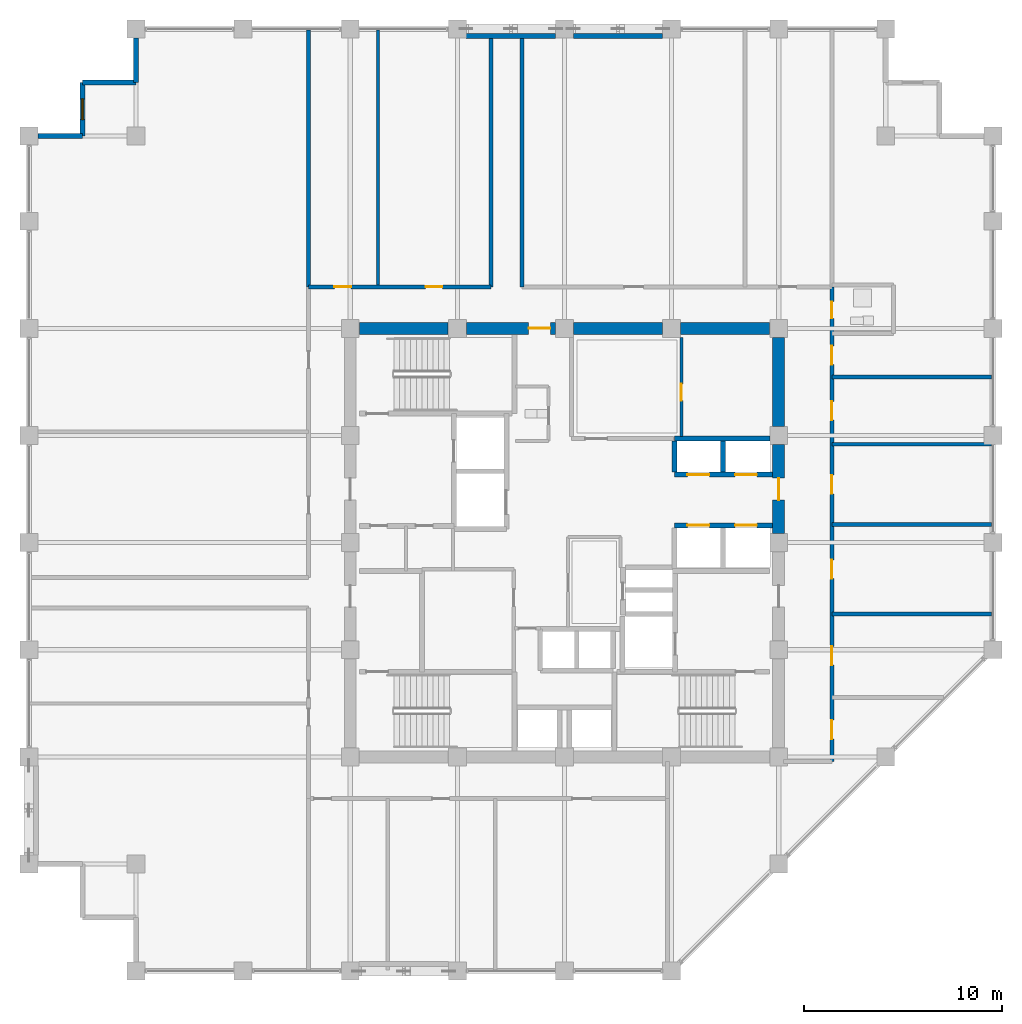
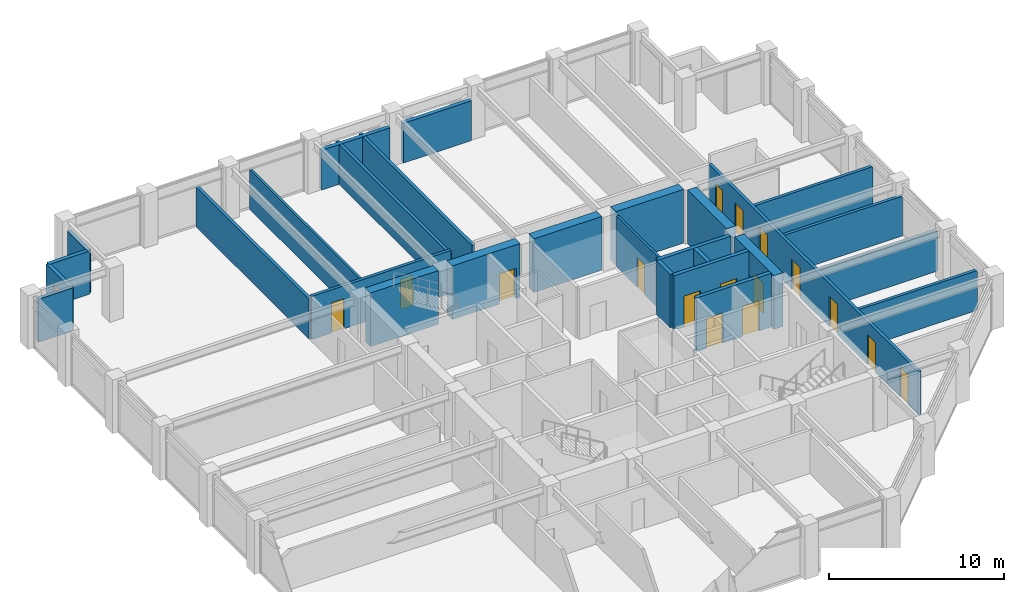
# One storey, part 29 of 32: 28 walls, 16 doors, 1 window, 17 openings.
"""IFC4 building model written with IfcOpenShell, lengths in metres."""

from ifc_helpers import new_model, si_unit, direction, frame, frame_2d, origin, place, context, subcontext, project, spatial, rectangle, extrude, material, layer, layer_set, type_object, element, fill, save


model = new_model("IFC4")

# Units and contexts
model_context = context("Model", 3, precision=1e-05, world=origin(), true_north=direction((0.0, 1.0)))
body_context = subcontext(model_context, "Body", "Model", "MODEL_VIEW")
ifc_project = project(units=[si_unit("LENGTHUNIT", "METRE"), si_unit("AREAUNIT", "SQUARE_METRE"), si_unit("VOLUMEUNIT", "CUBIC_METRE"), si_unit("PLANEANGLEUNIT", "RADIAN"), si_unit("MASSUNIT", "GRAM", prefix="KILO")], contexts=[model_context])

# Site, building, storey
site_placement = place(None, origin())
site = spatial("IfcSite", under=ifc_project, at=site_placement, CompositionType="ELEMENT")
building_placement = place(site_placement, origin())
building = spatial("IfcBuilding", under=site, at=building_placement, Name="Surkhivell Harbour Commons", CompositionType="ELEMENT")
storey_placement = place(building_placement, frame((0.0, 0.0, 212.25)))
storey = spatial("IfcBuildingStorey", under=building, at=storey_placement, Name="L55", CompositionType="ELEMENT", Elevation=212.25)

# Wall
ifc_material_1 = material(Name="Concrete C60/75", Category="concrete")
ifc_layer_1 = layer(ifc_material_1, 0.60009765625)
ifc_layer_set_1 = layer_set([ifc_layer_1], Name="Concrete C60/75")
wall_type_1 = type_object("IfcWallType", Name="WAL-CORE-600", PredefinedType="SHEAR", material=ifc_layer_set_1)
wall_1_placement = place(storey_placement, frame((-10.340087890625, 10.800048828125, 0.0), z_axis=(0.0, 0.0, 1.0), x_axis=(1.0, 0.0, 0.0)))
element("IfcWall", 1, at=wall_1_placement, inside=storey, type_object=wall_type_1, Name="L55 Core Shear Wall North 1", PredefinedType="SHEAR", context=body_context, shape_type="SweptSolid", body=[
    extrude(rectangle(XDim=4.47998046875, YDim=0.60009765625, at=frame_2d((2.239990234375, 0.0))), origin(), (0.0, 0.0, 1.0), 3.75),
])

# Wall, opening, door
wall_2_placement = place(storey_placement, frame((-4.93994140625, 10.800048828125, 0.0), z_axis=(0.0, 0.0, 1.0), x_axis=(1.0, 0.0, 0.0)))
wall_2 = element("IfcWall", 2, at=wall_2_placement, inside=storey, type_object=wall_type_1, Name="L55 Core Shear Wall North 2", PredefinedType="SHEAR", context=body_context, shape_type="SweptSolid", body=[
    extrude(rectangle(XDim=4.47998046875, YDim=0.60009765625, at=frame_2d((2.239990234375, 0.0))), origin(), (0.0, 0.0, 1.0), 3.75),
])
opening_1_placement = place(wall_2_placement, frame((3.1298828125, 0.0, 0.0)))
opening_1 = element("IfcOpeningElement", 3, at=opening_1_placement, cuts=wall_2, Name="Opening ID-2", PredefinedType="OPENING", context=body_context, shape_type="SweptSolid", body=[
    extrude(rectangle(XDim=1.10009765625, YDim=2.10009765625, at=frame_2d((0.550048828125, 1.050048828125))), frame((0.0, 0.31005859375, 0.0), z_axis=(0.0, -1.0, 0.0), x_axis=(1.0, 0.0, 0.0)), (0.0, 0.0, 1.0), 0.6201171875),
])
ifc_material_2 = material(Name="Hardwood-veneered fire-rated door leaf", Category="wood")
door_type_1 = type_object("IfcDoorType", Name="DOR-FD60-1100", OperationType="NOTDEFINED", PredefinedType="DOOR", material=ifc_material_2)
door_1_placement = place(opening_1_placement, origin())
door_1 = element("IfcDoor", 4, at=door_1_placement, inside=storey, type_object=door_type_1, Name="L55 Central Core Lift Hall North Corridor Door", OperationType="SINGLE_SWING_LEFT", OverallHeight=2.10009765625, OverallWidth=1.10009765625, PredefinedType="DOOR", context=body_context, shape_type="SweptSolid", body=[
    extrude(rectangle(XDim=1.10009765625, YDim=2.10009765625, at=frame_2d((0.550048828125, 1.050048828125))), frame((0.0, 0.02490234375, 0.0), z_axis=(0.0, -1.0, 0.0), x_axis=(1.0, 0.0, 0.0)), (0.0, 0.0, 1.0), 0.050048828125),
])
fill(opening_1, door_1)

# Wall
wall_3_placement = place(storey_placement, frame((0.4599609375, 10.800048828125, 0.0), z_axis=(0.0, 0.0, 1.0), x_axis=(1.0, 0.0, 0.0)))
element("IfcWall", 5, at=wall_3_placement, inside=storey, type_object=wall_type_1, Name="L55 Core Shear Wall North 3", PredefinedType="SHEAR", context=body_context, shape_type="SweptSolid", body=[
    extrude(rectangle(XDim=4.47998046875, YDim=0.60009765625, at=frame_2d((2.239990234375, 0.0))), origin(), (0.0, 0.0, 1.0), 3.75),
])

# Wall, opening, door
wall_4_placement = place(storey_placement, frame((10.800048828125, 0.4599609375, 0.0), z_axis=(0.0, 0.0, 1.0), x_axis=(0.0, 1.0, 0.0)))
wall_4 = element("IfcWall", 6, at=wall_4_placement, inside=storey, type_object=wall_type_1, Name="L55 Core Shear Wall East 3", PredefinedType="SHEAR", context=body_context, shape_type="SweptSolid", body=[
    extrude(rectangle(XDim=4.47998046875, YDim=0.60009765625, at=frame_2d((2.239990234375, 0.0))), origin(), (0.0, 0.0, 1.0), 3.75),
])
opening_2_placement = place(wall_4_placement, frame((1.68994140625, 0.0, 0.0)))
opening_2 = element("IfcOpeningElement", 7, at=opening_2_placement, cuts=wall_4, Name="Opening ID-2", PredefinedType="OPENING", context=body_context, shape_type="SweptSolid", body=[
    extrude(rectangle(XDim=1.10009765625, YDim=2.10009765625, at=frame_2d((0.550048828125, 1.050048828125))), frame((0.0, 0.31005859375, 0.0), z_axis=(0.0, -1.0, 0.0), x_axis=(1.0, 0.0, 0.0)), (0.0, 0.0, 1.0), 0.6201171875),
])
door_2_placement = place(opening_2_placement, origin())
door_2 = element("IfcDoor", 8, at=door_2_placement, inside=storey, type_object=door_type_1, Name="L55 Mid-Rise Lobby East Door", OperationType="SINGLE_SWING_LEFT", OverallHeight=2.10009765625, OverallWidth=1.10009765625, PredefinedType="DOOR", context=body_context, shape_type="SweptSolid", body=[
    extrude(rectangle(XDim=1.10009765625, YDim=2.10009765625, at=frame_2d((0.550048828125, 1.050048828125))), frame((0.0, 0.02490234375, 0.0), z_axis=(0.0, -1.0, 0.0), x_axis=(1.0, 0.0, 0.0)), (0.0, 0.0, 1.0), 0.050048828125),
])
fill(opening_2, door_2)

# Walls
for number, where, z_axis, x_axis, name in (
    (9, (5.860107421875, 10.800048828125, 0.0), (0.0, 0.0, 1.0), (1.0, 0.0, 0.0), "L55 Core Shear Wall North 4"),
    (10, (10.800048828125, 5.860107421875, 0.0), (0.0, 0.0, 1.0), (0.0, 1.0, 0.0), "L55 Core Shear Wall East 4"),
):
    element("IfcWall", number, at=place(storey_placement, frame(where, z_axis=z_axis, x_axis=x_axis)), inside=storey, type_object=wall_type_1, Name=name, PredefinedType="SHEAR", context=body_context, shape_type="SweptSolid", body=[
        extrude(rectangle(XDim=4.47998046875, YDim=0.60009765625, at=frame_2d((2.239990234375, 0.0))), origin(), (0.0, 0.0, 1.0), 3.75),
    ])
ifc_material_3 = material(Name="Pale-metal insulated precast concrete C45/55", Category="concrete")
ifc_layer_2 = layer(ifc_material_3, 0.260009765625)
ifc_layer_set_2 = layer_set([ifc_layer_2], Name="Pale-metal insulated precast concrete C45/55")
wall_type_2 = type_object("IfcWallType", Name="WAL-EXT-MTL260", PredefinedType="STANDARD", material=ifc_layer_set_2)
for number, where, z_axis, x_axis, name in (
    (11, (-0.447998046875, 25.5400390625, 0.0), (0.0, 0.0, 1.0), (-1.0, 0.0, 0.0), "L55 Braced-Bay Insulated Spandrel Backing N"),
    (12, (4.951904296875, 25.5400390625, 0.0), (0.0, 0.0, 1.0), (-1.0, 0.0, 0.0), "L55 Braced-Bay Insulated Spandrel Backing N2"),
):
    element("IfcWall", number, at=place(storey_placement, frame(where, z_axis=z_axis, x_axis=x_axis)), inside=storey, type_object=wall_type_2, Name=name, PredefinedType="STANDARD", context=body_context, shape_type="SweptSolid", body=[
        extrude(rectangle(XDim=4.50390625, YDim=0.260009765625, at=frame_2d((2.251953125, 0.0))), origin(), (0.0, 0.0, 1.0), 2.780029296875),
    ])
wall_5_placement = place(storey_placement, frame((-21.60009765625, 25.451904296875, 0.0), z_axis=(0.0, 0.0, 1.0), x_axis=(0.0, -1.0, 0.0)))
element("IfcWall", 13, at=wall_5_placement, inside=storey, type_object=wall_type_2, Name="L55 Serrated Corner Facade Wall 08", PredefinedType="STANDARD", context=body_context, shape_type="SweptSolid", body=[
    extrude(rectangle(XDim=2.251953125, YDim=0.260009765625, at=frame_2d((1.1259765625, 0.0))), origin(), (0.0, 0.0, 1.0), 3.006103515625),
])
wall_6_placement = place(storey_placement, frame((-21.60009765625, 23.199951171875, 0.0), z_axis=(0.0, 0.0, 1.0), x_axis=(-1.0, 0.0, 0.0)))
element("IfcWall", 14, at=wall_6_placement, inside=storey, type_object=wall_type_2, Name="L55 Serrated Corner Facade Wall 09", PredefinedType="STANDARD", context=body_context, shape_type="SweptSolid", body=[
    extrude(rectangle(XDim=2.699951171875, YDim=0.260009765625, at=frame_2d((1.35009765625, 0.0))), origin(), (0.0, 0.0, 1.0), 3.006103515625),
])

# Wall, opening, window
wall_7_placement = place(storey_placement, frame((-24.300048828125, 23.199951171875, 0.0), z_axis=(0.0, 0.0, 1.0), x_axis=(0.0, -1.0, 0.0)))
wall_7 = element("IfcWall", 15, at=wall_7_placement, inside=storey, type_object=wall_type_2, Name="L55 Serrated Corner Facade Wall 10", PredefinedType="STANDARD", context=body_context, shape_type="SweptSolid", body=[
    extrude(rectangle(XDim=2.699951171875, YDim=0.260009765625, at=frame_2d((1.35009765625, 0.0))), origin(), (0.0, 0.0, 1.0), 3.006103515625),
])
opening_3_placement = place(wall_7_placement, frame((0.824951171875, 0.0, 0.64990234375)))
opening_3 = element("IfcOpeningElement", 16, at=opening_3_placement, cuts=wall_7, Name="Opening WN-11", PredefinedType="OPENING", context=body_context, shape_type="SweptSolid", body=[
    extrude(rectangle(XDim=1.050048828125, YDim=1.5, at=frame_2d((0.52490234375, 0.75))), frame((0.0, 0.139892578125, 0.0), z_axis=(0.0, -1.0, 0.0), x_axis=(1.0, 0.0, 0.0)), (0.0, 0.0, 1.0), 0.280029296875),
])
ifc_material_4 = material(Name="Thermal-break aluminium frame and double low-E glazing", Category="aluminium")
window_type = type_object("IfcWindowType", Name="WIN-SER-1050x1500", PartitioningType="SINGLE_PANEL", PredefinedType="WINDOW", material=ifc_material_4)
window_placement = place(opening_3_placement, origin())
window = element("IfcWindow", 17, at=window_placement, inside=storey, type_object=window_type, Name="L55 Serrated Alcove Window 10", OverallHeight=1.5, OverallWidth=1.050048828125, PartitioningType="SINGLE_PANEL", PredefinedType="WINDOW", context=body_context, shape_type="SweptSolid", body=[
    extrude(rectangle(XDim=1.050048828125, YDim=1.5, at=frame_2d((0.52490234375, 0.75))), frame((0.0, 0.030029296875, 0.0), z_axis=(0.0, -1.0, 0.0), x_axis=(1.0, 0.0, 0.0)), (0.0, 0.0, 1.0), 0.06005859375),
])
fill(opening_3, window)

# Wall
wall_8_placement = place(storey_placement, frame((-24.300048828125, 20.5, 0.0), z_axis=(0.0, 0.0, 1.0), x_axis=(-1.0, 0.0, 0.0)))
element("IfcWall", 18, at=wall_8_placement, inside=storey, type_object=wall_type_2, Name="L55 Serrated Corner Facade Wall 11", PredefinedType="STANDARD", context=body_context, shape_type="SweptSolid", body=[
    extrude(rectangle(XDim=2.251953125, YDim=0.260009765625, at=frame_2d((1.1259765625, 0.0))), origin(), (0.0, 0.0, 1.0), 3.006103515625),
])

# Wall, opening, door
ifc_material_5 = material(Name="Twin-stud acoustic fireboard partition", Category="other")
ifc_layer_3 = layer(ifc_material_5, 0.14990234375)
ifc_layer_set_3 = layer_set([ifc_layer_3], Name="Twin-stud acoustic fireboard partition")
wall_type_3 = type_object("IfcWallType", Name="WAL-INT-150", PredefinedType="PARTITIONING", material=ifc_layer_set_3)
wall_9_placement = place(storey_placement, frame((5.89990234375, 5.360107421875, 0.0), z_axis=(0.0, 0.0, 1.0), x_axis=(0.0, 1.0, 0.0)))
wall_9 = element("IfcWall", 19, at=wall_9_placement, inside=storey, type_object=wall_type_3, Name="L55 Study Pod Wall 1", PredefinedType="PARTITIONING", context=body_context, shape_type="SweptSolid", body=[
    extrude(rectangle(XDim=4.97998046875, YDim=0.14990234375, at=frame_2d((2.489990234375, 0.0))), origin(), (0.0, 0.0, 1.0), 3.570068359375),
])
opening_4_placement = place(wall_9_placement, frame((1.800048828125, 0.0, 0.0)))
opening_4 = element("IfcOpeningElement", 20, at=opening_4_placement, cuts=wall_9, Name="Opening ID-6", PredefinedType="OPENING", context=body_context, shape_type="SweptSolid", body=[
    extrude(rectangle(XDim=0.85009765625, YDim=2.10009765625, at=frame_2d((0.425048828125, 1.050048828125))), frame((0.0, 0.0849609375, 0.0), z_axis=(0.0, -1.0, 0.0), x_axis=(1.0, 0.0, 0.0)), (0.0, 0.0, 1.0), 0.169921875),
])
door_type_2 = type_object("IfcDoorType", Name="DOR-FD30-850", OperationType="NOTDEFINED", PredefinedType="DOOR", material=ifc_material_2)
door_3_placement = place(opening_4_placement, origin())
door_3 = element("IfcDoor", 21, at=door_3_placement, inside=storey, type_object=door_type_2, Name="L55 Core Music Door", OperationType="SINGLE_SWING_RIGHT", OverallHeight=2.10009765625, OverallWidth=0.85009765625, PredefinedType="DOOR", context=body_context, shape_type="SweptSolid", body=[
    extrude(rectangle(XDim=0.85009765625, YDim=2.10009765625, at=frame_2d((0.425048828125, 1.050048828125))), frame((0.0, 0.02490234375, 0.0), z_axis=(0.0, -1.0, 0.0), x_axis=(1.0, 0.0, 0.0)), (0.0, 0.0, 1.0), 0.050048828125),
])
fill(opening_4, door_3)

# Walls
wall_10_placement = place(storey_placement, frame((-9.39990234375, 12.89990234375, 0.0), z_axis=(0.0, 0.0, 1.0), x_axis=(0.0, 1.0, 0.0)))
element("IfcWall", 22, at=wall_10_placement, inside=storey, type_object=wall_type_3, Name="L55 North-West Partition P1", PredefinedType="PARTITIONING", context=body_context, shape_type="SweptSolid", body=[
    extrude(rectangle(XDim=12.940185546875, YDim=0.14990234375, at=frame_2d((6.47021484375, 0.0))), origin(), (0.0, 0.0, 1.0), 2.780029296875),
])
ifc_material_6 = material(Name="Autoclaved aerated concrete blockwork and fire plaster", Category="masonry")
ifc_layer_4 = layer(ifc_material_6, 0.199951171875)
ifc_layer_set_4 = layer_set([ifc_layer_4], Name="Autoclaved aerated concrete blockwork and fire plaster")
wall_type_4 = type_object("IfcWallType", Name="WAL-INT-200", PredefinedType="PARTITIONING", material=ifc_layer_set_4)
wall_11_placement = place(storey_placement, frame((-12.89990234375, 12.89990234375, 0.0), z_axis=(0.0, 0.0, 1.0), x_axis=(0.0, 1.0, 0.0)))
element("IfcWall", 23, at=wall_11_placement, inside=storey, type_object=wall_type_4, Name="L55 North-West Corner Wall", PredefinedType="PARTITIONING", context=body_context, shape_type="SweptSolid", body=[
    extrude(rectangle(XDim=12.940185546875, YDim=0.199951171875, at=frame_2d((6.47021484375, 0.0))), origin(), (0.0, 0.0, 1.0), 2.780029296875),
])

# Wall, openings, doors
wall_12_placement = place(storey_placement, frame((13.47998046875, -11.0400390625, 0.0), z_axis=(0.0, 0.0, 1.0), x_axis=(0.0, 1.0, 0.0)))
wall_12 = element("IfcWall", 24, at=wall_12_placement, inside=storey, type_object=wall_type_4, Name="L55 Corridor East Wall", PredefinedType="PARTITIONING", context=body_context, shape_type="SweptSolid", body=[
    extrude(rectangle(XDim=23.93994140625, YDim=0.199951171875, at=frame_2d((11.969970703125, 0.0))), origin(), (0.0, 0.0, 1.0), 3.006103515625),
])
opening_5_placement = place(wall_12_placement, frame((1.139892578125, 0.0, 0.0)))
opening_5 = element("IfcOpeningElement", 25, at=opening_5_placement, cuts=wall_12, Name="Opening ID-4", PredefinedType="OPENING", context=body_context, shape_type="SweptSolid", body=[
    extrude(rectangle(XDim=0.949951171875, YDim=2.10009765625, at=frame_2d((0.47509765625, 1.050048828125))), frame((0.0, 0.10986328125, 0.0), z_axis=(0.0, -1.0, 0.0), x_axis=(1.0, 0.0, 0.0)), (0.0, 0.0, 1.0), 0.219970703125),
])
opening_6_placement = place(wall_12_placement, frame((22.344970703125, 0.0, 0.0)))
opening_6 = element("IfcOpeningElement", 26, at=opening_6_placement, cuts=wall_12, Name="Opening ID-6", PredefinedType="OPENING", context=body_context, shape_type="SweptSolid", body=[
    extrude(rectangle(XDim=0.85009765625, YDim=2.10009765625, at=frame_2d((0.425048828125, 1.050048828125))), frame((0.0, 0.10986328125, 0.0), z_axis=(0.0, -1.0, 0.0), x_axis=(1.0, 0.0, 0.0)), (0.0, 0.0, 1.0), 0.219970703125),
])
opening_7_placement = place(wall_12_placement, frame((20.010009765625, 0.0, 0.0)))
opening_7 = element("IfcOpeningElement", 27, at=opening_7_placement, cuts=wall_12, Name="Opening ID-4", PredefinedType="OPENING", context=body_context, shape_type="SweptSolid", body=[
    extrude(rectangle(XDim=0.949951171875, YDim=2.10009765625, at=frame_2d((0.47509765625, 1.050048828125))), frame((0.0, 0.10986328125, 0.0), z_axis=(0.0, -1.0, 0.0), x_axis=(1.0, 0.0, 0.0)), (0.0, 0.0, 1.0), 0.219970703125),
])
opening_8_placement = place(wall_12_placement, frame((4.860107421875, 0.0, 0.0)))
opening_8 = element("IfcOpeningElement", 28, at=opening_8_placement, cuts=wall_12, Name="Opening ID-4", PredefinedType="OPENING", context=body_context, shape_type="SweptSolid", body=[
    extrude(rectangle(XDim=0.949951171875, YDim=2.10009765625, at=frame_2d((0.47509765625, 1.050048828125))), frame((0.0, 0.10986328125, 0.0), z_axis=(0.0, -1.0, 0.0), x_axis=(1.0, 0.0, 0.0)), (0.0, 0.0, 1.0), 0.219970703125),
])
opening_9_placement = place(wall_12_placement, frame((9.219970703125, 0.0, 0.0)))
opening_9 = element("IfcOpeningElement", 29, at=opening_9_placement, cuts=wall_12, Name="Opening ID-4", PredefinedType="OPENING", context=body_context, shape_type="SweptSolid", body=[
    extrude(rectangle(XDim=0.949951171875, YDim=2.10009765625, at=frame_2d((0.47509765625, 1.050048828125))), frame((0.0, 0.10986328125, 0.0), z_axis=(0.0, -1.0, 0.0), x_axis=(1.0, 0.0, 0.0)), (0.0, 0.0, 1.0), 0.219970703125),
])
opening_10_placement = place(wall_12_placement, frame((13.5, 0.0, 0.0)))
opening_10 = element("IfcOpeningElement", 30, at=opening_10_placement, cuts=wall_12, Name="Opening ID-4", PredefinedType="OPENING", context=body_context, shape_type="SweptSolid", body=[
    extrude(rectangle(XDim=0.949951171875, YDim=2.10009765625, at=frame_2d((0.47509765625, 1.050048828125))), frame((0.0, 0.10986328125, 0.0), z_axis=(0.0, -1.0, 0.0), x_axis=(1.0, 0.0, 0.0)), (0.0, 0.0, 1.0), 0.219970703125),
])
opening_11_placement = place(wall_12_placement, frame((17.215087890625, 0.0, 0.0)))
opening_11 = element("IfcOpeningElement", 31, at=opening_11_placement, cuts=wall_12, Name="Opening ID-4", PredefinedType="OPENING", context=body_context, shape_type="SweptSolid", body=[
    extrude(rectangle(XDim=0.949951171875, YDim=2.10009765625, at=frame_2d((0.47509765625, 1.050048828125))), frame((0.0, 0.10986328125, 0.0), z_axis=(0.0, -1.0, 0.0), x_axis=(1.0, 0.0, 0.0)), (0.0, 0.0, 1.0), 0.219970703125),
])
door_4_placement = place(opening_6_placement, origin())
door_4 = element("IfcDoor", 32, at=door_4_placement, inside=storey, type_object=door_type_2, Name="L55 Communal Shower Bathroom East Door", OperationType="SINGLE_SWING_RIGHT", OverallHeight=2.10009765625, OverallWidth=0.85009765625, PredefinedType="DOOR", context=body_context, shape_type="SweptSolid", body=[
    extrude(rectangle(XDim=0.85009765625, YDim=2.10009765625, at=frame_2d((0.425048828125, 1.050048828125))), frame((0.0, 0.02490234375, 0.0), z_axis=(0.0, -1.0, 0.0), x_axis=(1.0, 0.0, 0.0)), (0.0, 0.0, 1.0), 0.050048828125),
])
fill(opening_6, door_4)
door_type_3 = type_object("IfcDoorType", Name="DOR-FD60-950", OperationType="NOTDEFINED", PredefinedType="DOOR", material=ifc_material_2)
door_5_placement = place(opening_5_placement, origin())
door_5 = element("IfcDoor", 33, at=door_5_placement, inside=storey, type_object=door_type_3, Name="L55 Shared Communal Kitchen East Door", OperationType="SINGLE_SWING_LEFT", OverallHeight=2.10009765625, OverallWidth=0.949951171875, PredefinedType="DOOR", context=body_context, shape_type="SweptSolid", body=[
    extrude(rectangle(XDim=0.949951171875, YDim=2.10009765625, at=frame_2d((0.47509765625, 1.050048828125))), frame((0.0, 0.02490234375, 0.0), z_axis=(0.0, -1.0, 0.0), x_axis=(1.0, 0.0, 0.0)), (0.0, 0.0, 1.0), 0.050048828125),
])
fill(opening_5, door_5)
door_6_placement = place(opening_7_placement, origin())
door_6 = element("IfcDoor", 34, at=door_6_placement, inside=storey, type_object=door_type_3, Name="L55 Academic Reading Commons East Door", OperationType="SINGLE_SWING_LEFT", OverallHeight=2.10009765625, OverallWidth=0.949951171875, PredefinedType="DOOR", context=body_context, shape_type="SweptSolid", body=[
    extrude(rectangle(XDim=0.949951171875, YDim=2.10009765625, at=frame_2d((0.47509765625, 1.050048828125))), frame((0.0, 0.02490234375, 0.0), z_axis=(0.0, -1.0, 0.0), x_axis=(1.0, 0.0, 0.0)), (0.0, 0.0, 1.0), 0.050048828125),
])
fill(opening_7, door_6)
door_7_placement = place(opening_8_placement, origin())
door_7 = element("IfcDoor", 35, at=door_7_placement, inside=storey, type_object=door_type_3, Name="L55 Hostel Cluster Bedroom 1 East Door", OperationType="SINGLE_SWING_RIGHT", OverallHeight=2.10009765625, OverallWidth=0.949951171875, PredefinedType="DOOR", context=body_context, shape_type="SweptSolid", body=[
    extrude(rectangle(XDim=0.949951171875, YDim=2.10009765625, at=frame_2d((0.47509765625, 1.050048828125))), frame((0.0, 0.02490234375, 0.0), z_axis=(0.0, -1.0, 0.0), x_axis=(1.0, 0.0, 0.0)), (0.0, 0.0, 1.0), 0.050048828125),
])
fill(opening_8, door_7)
door_8_placement = place(opening_9_placement, origin())
door_8 = element("IfcDoor", 36, at=door_8_placement, inside=storey, type_object=door_type_3, Name="L55 Co-Living Dormitory Bedroom 2 East Door", OperationType="SINGLE_SWING_LEFT", OverallHeight=2.10009765625, OverallWidth=0.949951171875, PredefinedType="DOOR", context=body_context, shape_type="SweptSolid", body=[
    extrude(rectangle(XDim=0.949951171875, YDim=2.10009765625, at=frame_2d((0.47509765625, 1.050048828125))), frame((0.0, 0.02490234375, 0.0), z_axis=(0.0, -1.0, 0.0), x_axis=(1.0, 0.0, 0.0)), (0.0, 0.0, 1.0), 0.050048828125),
])
fill(opening_9, door_8)
door_9_placement = place(opening_10_placement, origin())
door_9 = element("IfcDoor", 37, at=door_9_placement, inside=storey, type_object=door_type_3, Name="L55 Hostel Cluster Bedroom 3 East Door", OperationType="SINGLE_SWING_RIGHT", OverallHeight=2.10009765625, OverallWidth=0.949951171875, PredefinedType="DOOR", context=body_context, shape_type="SweptSolid", body=[
    extrude(rectangle(XDim=0.949951171875, YDim=2.10009765625, at=frame_2d((0.47509765625, 1.050048828125))), frame((0.0, 0.02490234375, 0.0), z_axis=(0.0, -1.0, 0.0), x_axis=(1.0, 0.0, 0.0)), (0.0, 0.0, 1.0), 0.050048828125),
])
fill(opening_10, door_9)
door_10_placement = place(opening_11_placement, origin())
door_10 = element("IfcDoor", 38, at=door_10_placement, inside=storey, type_object=door_type_3, Name="L55 Co-Living Dormitory Bedroom 4 East Door", OperationType="SINGLE_SWING_LEFT", OverallHeight=2.10009765625, OverallWidth=0.949951171875, PredefinedType="DOOR", context=body_context, shape_type="SweptSolid", body=[
    extrude(rectangle(XDim=0.949951171875, YDim=2.10009765625, at=frame_2d((0.47509765625, 1.050048828125))), frame((0.0, 0.02490234375, 0.0), z_axis=(0.0, -1.0, 0.0), x_axis=(1.0, 0.0, 0.0)), (0.0, 0.0, 1.0), 0.050048828125),
])
fill(opening_11, door_10)

wall_13_placement = place(storey_placement, frame((-12.89990234375, 12.89990234375, 0.0), z_axis=(0.0, 0.0, 1.0), x_axis=(1.0, 0.0, 0.0)))
wall_13 = element("IfcWall", 39, at=wall_13_placement, inside=storey, type_object=wall_type_4, Name="L55 Corridor North-West Wall", PredefinedType="PARTITIONING", context=body_context, shape_type="SweptSolid", body=[
    extrude(rectangle(XDim=9.199951171875, YDim=0.199951171875, at=frame_2d((4.60009765625, 0.0))), origin(), (0.0, 0.0, 1.0), 3.006103515625),
])
opening_12_placement = place(wall_13_placement, frame((1.300048828125, 0.0, 0.0)))
opening_12 = element("IfcOpeningElement", 40, at=opening_12_placement, cuts=wall_13, Name="Opening ID-6", PredefinedType="OPENING", context=body_context, shape_type="SweptSolid", body=[
    extrude(rectangle(XDim=0.85009765625, YDim=2.10009765625, at=frame_2d((0.425048828125, 1.050048828125))), frame((0.0, 0.10986328125, 0.0), z_axis=(0.0, -1.0, 0.0), x_axis=(1.0, 0.0, 0.0)), (0.0, 0.0, 1.0), 0.219970703125),
])
opening_13_placement = place(wall_13_placement, frame((5.89990234375, 0.0, 0.0)))
opening_13 = element("IfcOpeningElement", 41, at=opening_13_placement, cuts=wall_13, Name="Opening ID-6", PredefinedType="OPENING", context=body_context, shape_type="SweptSolid", body=[
    extrude(rectangle(XDim=0.85009765625, YDim=2.10009765625, at=frame_2d((0.425048828125, 1.050048828125))), frame((0.0, 0.10986328125, 0.0), z_axis=(0.0, -1.0, 0.0), x_axis=(1.0, 0.0, 0.0)), (0.0, 0.0, 1.0), 0.219970703125),
])
door_11_placement = place(opening_12_placement, origin())
door_11 = element("IfcDoor", 42, at=door_11_placement, inside=storey, type_object=door_type_2, Name="L55 Harbour Reading Library North-West Door", OperationType="SINGLE_SWING_LEFT", OverallHeight=2.10009765625, OverallWidth=0.85009765625, PredefinedType="DOOR", context=body_context, shape_type="SweptSolid", body=[
    extrude(rectangle(XDim=0.85009765625, YDim=2.10009765625, at=frame_2d((0.425048828125, 1.050048828125))), frame((0.0, 0.02490234375, 0.0), z_axis=(0.0, -1.0, 0.0), x_axis=(1.0, 0.0, 0.0)), (0.0, 0.0, 1.0), 0.050048828125),
])
fill(opening_12, door_11)
door_12_placement = place(opening_13_placement, origin())
door_12 = element("IfcDoor", 43, at=door_12_placement, inside=storey, type_object=door_type_2, Name="L55 Communal Dining Hall North-West Door", OperationType="SINGLE_SWING_RIGHT", OverallHeight=2.10009765625, OverallWidth=0.85009765625, PredefinedType="DOOR", context=body_context, shape_type="SweptSolid", body=[
    extrude(rectangle(XDim=0.85009765625, YDim=2.10009765625, at=frame_2d((0.425048828125, 1.050048828125))), frame((0.0, 0.02490234375, 0.0), z_axis=(0.0, -1.0, 0.0), x_axis=(1.0, 0.0, 0.0)), (0.0, 0.0, 1.0), 0.050048828125),
])
fill(opening_13, door_12)

# Walls
for number, where, z_axis, x_axis, name in (
    (44, (-2.14990234375, 12.89990234375, 0.0), (0.0, 0.0, 1.0), (0.0, 1.0, 0.0), "L55 North Spur East Wall"),
    (45, (-3.699951171875, 12.89990234375, 0.0), (0.0, 0.0, 1.0), (0.0, 1.0, 0.0), "L55 North Spur West Wall"),
):
    element("IfcWall", number, at=place(storey_placement, frame(where, z_axis=z_axis, x_axis=x_axis)), inside=storey, type_object=wall_type_4, Name=name, PredefinedType="PARTITIONING", context=body_context, shape_type="SweptSolid", body=[
        extrude(rectangle(XDim=12.940185546875, YDim=0.199951171875, at=frame_2d((6.47021484375, 0.0))), origin(), (0.0, 0.0, 1.0), 2.780029296875),
    ])
for number, where, z_axis, x_axis, name in (
    (46, (13.47998046875, -3.60009765625, 0.0), (0.0, 0.0, 1.0), (1.0, 0.0, 0.0), "L55 East Partition BDP1"),
    (47, (13.47998046875, 0.919921875, 0.0), (0.0, 0.0, 1.0), (1.0, 0.0, 0.0), "L55 East Partition BDP2"),
    (48, (13.47998046875, 4.9599609375, 0.0), (0.0, 0.0, 1.0), (1.0, 0.0, 0.0), "L55 East Partition BDP3"),
    (49, (13.47998046875, 8.35009765625, 0.0), (0.0, 0.0, 1.0), (1.0, 0.0, 0.0), "L55 East Partition PTOP"),
):
    element("IfcWall", number, at=place(storey_placement, frame(where, z_axis=z_axis, x_axis=x_axis)), inside=storey, type_object=wall_type_4, Name=name, PredefinedType="PARTITIONING", context=body_context, shape_type="SweptSolid", body=[
        extrude(rectangle(XDim=8.06005859375, YDim=0.199951171875, at=frame_2d((4.030029296875, 0.0))), origin(), (0.0, 0.0, 1.0), 2.780029296875),
    ])
ifc_material_7 = material(Name="Concrete C50/60", Category="concrete")
ifc_layer_5 = layer(ifc_material_7, 0.25)
ifc_layer_set_5 = layer_set([ifc_layer_5], Name="Concrete C50/60")
wall_type_5 = type_object("IfcWallType", Name="WAL-SHAFT-250", PredefinedType="SHEAR", material=ifc_layer_set_5)
for number, where, z_axis, x_axis, name in (
    (50, (5.550048828125, 3.550048828125, 0.0), (0.0, 0.0, 1.0), (0.0, 1.0, 0.0), "L55 Mid-Rise Shaft Side Wall N"),
    (51, (8.0, 3.550048828125, 0.0), (0.0, 0.0, 1.0), (0.0, 1.0, 0.0), "L55 Mid-Rise Shaft Side Wall N"),
):
    element("IfcWall", number, at=place(storey_placement, frame(where, z_axis=z_axis, x_axis=x_axis)), inside=storey, type_object=wall_type_5, Name=name, PredefinedType="SHEAR", context=body_context, shape_type="SweptSolid", body=[
        extrude(rectangle(XDim=1.570068359375, YDim=0.25, at=frame_2d((0.78515625, 0.0))), origin(), (0.0, 0.0, 1.0), 3.75),
    ])

# Wall, openings, doors
wall_14_placement = place(storey_placement, frame((5.550048828125, 3.429931640625, 0.0), z_axis=(0.0, 0.0, 1.0), x_axis=(1.0, 0.0, 0.0)))
wall_14 = element("IfcWall", 52, at=wall_14_placement, inside=storey, type_object=wall_type_5, Name="L55 Mid-Rise North Front Shaft Wall", PredefinedType="SHEAR", context=body_context, shape_type="SweptSolid", body=[
    extrude(rectangle(XDim=4.949951171875, YDim=0.25, at=frame_2d((2.47509765625, 0.0))), origin(), (0.0, 0.0, 1.0), 3.75),
])
opening_14_placement = place(wall_14_placement, frame((0.64990234375, 0.0, 0.0)))
opening_14 = element("IfcOpeningElement", 53, at=opening_14_placement, cuts=wall_14, Name="Opening LD-1", PredefinedType="OPENING", context=body_context, shape_type="SweptSolid", body=[
    extrude(rectangle(XDim=1.10009765625, YDim=2.10009765625, at=frame_2d((0.550048828125, 1.050048828125))), frame((0.0, 0.135009765625, 0.0), z_axis=(0.0, -1.0, 0.0), x_axis=(1.0, 0.0, 0.0)), (0.0, 0.0, 1.0), 0.27001953125),
])
opening_15_placement = place(wall_14_placement, frame((3.050048828125, 0.0, 0.0)))
opening_15 = element("IfcOpeningElement", 54, at=opening_15_placement, cuts=wall_14, Name="Opening LD-1", PredefinedType="OPENING", context=body_context, shape_type="SweptSolid", body=[
    extrude(rectangle(XDim=1.10009765625, YDim=2.10009765625, at=frame_2d((0.550048828125, 1.050048828125))), frame((0.0, 0.135009765625, 0.0), z_axis=(0.0, -1.0, 0.0), x_axis=(1.0, 0.0, 0.0)), (0.0, 0.0, 1.0), 0.27001953125),
])
ifc_material_8 = material(Name="Brushed stainless steel S355", Category="steel")
door_type_4 = type_object("IfcDoorType", Name="DOR-LD-1100", OperationType="SLIDING_TO_LEFT", PredefinedType="DOOR", material=ifc_material_8)
door_13_placement = place(opening_14_placement, origin())
door_13 = element("IfcDoor", 55, at=door_13_placement, inside=storey, type_object=door_type_4, Name="L55 Lift Landing Door LD-PM1", OperationType="SLIDING_TO_RIGHT", OverallHeight=2.10009765625, OverallWidth=1.10009765625, PredefinedType="DOOR", context=body_context, shape_type="SweptSolid", body=[
    extrude(rectangle(XDim=1.10009765625, YDim=2.10009765625, at=frame_2d((0.550048828125, 1.050048828125))), frame((0.0, 0.02490234375, 0.0), z_axis=(0.0, -1.0, 0.0), x_axis=(1.0, 0.0, 0.0)), (0.0, 0.0, 1.0), 0.050048828125),
])
fill(opening_14, door_13)
door_14_placement = place(opening_15_placement, origin())
door_14 = element("IfcDoor", 56, at=door_14_placement, inside=storey, type_object=door_type_4, Name="L55 Lift Landing Door LD-PM2", OperationType="SLIDING_TO_RIGHT", OverallHeight=2.10009765625, OverallWidth=1.10009765625, PredefinedType="DOOR", context=body_context, shape_type="SweptSolid", body=[
    extrude(rectangle(XDim=1.10009765625, YDim=2.10009765625, at=frame_2d((0.550048828125, 1.050048828125))), frame((0.0, 0.02490234375, 0.0), z_axis=(0.0, -1.0, 0.0), x_axis=(1.0, 0.0, 0.0)), (0.0, 0.0, 1.0), 0.050048828125),
])
fill(opening_15, door_14)

# Wall
wall_15_placement = place(storey_placement, frame((5.550048828125, 5.239990234375, 0.0), z_axis=(0.0, 0.0, 1.0), x_axis=(1.0, 0.0, 0.0)))
element("IfcWall", 57, at=wall_15_placement, inside=storey, type_object=wall_type_5, Name="L55 Mid-Rise North Back Shaft Wall", PredefinedType="SHEAR", context=body_context, shape_type="SweptSolid", body=[
    extrude(rectangle(XDim=4.800048828125, YDim=0.25, at=frame_2d((2.39990234375, 0.0))), origin(), (0.0, 0.0, 1.0), 3.75),
])

# Wall, openings, doors
wall_16_placement = place(storey_placement, frame((5.550048828125, 0.8701171875, 0.0), z_axis=(0.0, 0.0, 1.0), x_axis=(1.0, 0.0, 0.0)))
wall_16 = element("IfcWall", 58, at=wall_16_placement, inside=storey, type_object=wall_type_5, Name="L55 Mid-Rise South Front Shaft Wall", PredefinedType="SHEAR", context=body_context, shape_type="SweptSolid", body=[
    extrude(rectangle(XDim=4.949951171875, YDim=0.25, at=frame_2d((2.47509765625, 0.0))), origin(), (0.0, 0.0, 1.0), 3.75),
])
opening_16_placement = place(wall_16_placement, frame((0.64990234375, 0.0, 0.0)))
opening_16 = element("IfcOpeningElement", 59, at=opening_16_placement, cuts=wall_16, Name="Opening LD-1", PredefinedType="OPENING", context=body_context, shape_type="SweptSolid", body=[
    extrude(rectangle(XDim=1.10009765625, YDim=2.10009765625, at=frame_2d((0.550048828125, 1.050048828125))), frame((0.0, 0.135009765625, 0.0), z_axis=(0.0, -1.0, 0.0), x_axis=(1.0, 0.0, 0.0)), (0.0, 0.0, 1.0), 0.27001953125),
])
opening_17_placement = place(wall_16_placement, frame((3.050048828125, 0.0, 0.0)))
opening_17 = element("IfcOpeningElement", 60, at=opening_17_placement, cuts=wall_16, Name="Opening LD-1", PredefinedType="OPENING", context=body_context, shape_type="SweptSolid", body=[
    extrude(rectangle(XDim=1.10009765625, YDim=2.10009765625, at=frame_2d((0.550048828125, 1.050048828125))), frame((0.0, 0.135009765625, 0.0), z_axis=(0.0, -1.0, 0.0), x_axis=(1.0, 0.0, 0.0)), (0.0, 0.0, 1.0), 0.27001953125),
])
door_15_placement = place(opening_16_placement, origin())
door_15 = element("IfcDoor", 61, at=door_15_placement, inside=storey, type_object=door_type_4, Name="L55 Lift Landing Door LD-PM3", OperationType="SLIDING_TO_RIGHT", OverallHeight=2.10009765625, OverallWidth=1.10009765625, PredefinedType="DOOR", context=body_context, shape_type="SweptSolid", body=[
    extrude(rectangle(XDim=1.10009765625, YDim=2.10009765625, at=frame_2d((0.550048828125, 1.050048828125))), frame((0.0, 0.02490234375, 0.0), z_axis=(0.0, -1.0, 0.0), x_axis=(1.0, 0.0, 0.0)), (0.0, 0.0, 1.0), 0.050048828125),
])
fill(opening_16, door_15)
door_16_placement = place(opening_17_placement, origin())
door_16 = element("IfcDoor", 62, at=door_16_placement, inside=storey, type_object=door_type_4, Name="L55 Lift Landing Door LD-PM4", OperationType="SLIDING_TO_RIGHT", OverallHeight=2.10009765625, OverallWidth=1.10009765625, PredefinedType="DOOR", context=body_context, shape_type="SweptSolid", body=[
    extrude(rectangle(XDim=1.10009765625, YDim=2.10009765625, at=frame_2d((0.550048828125, 1.050048828125))), frame((0.0, 0.02490234375, 0.0), z_axis=(0.0, -1.0, 0.0), x_axis=(1.0, 0.0, 0.0)), (0.0, 0.0, 1.0), 0.050048828125),
])
fill(opening_17, door_16)

save(model, "model.ifc")
